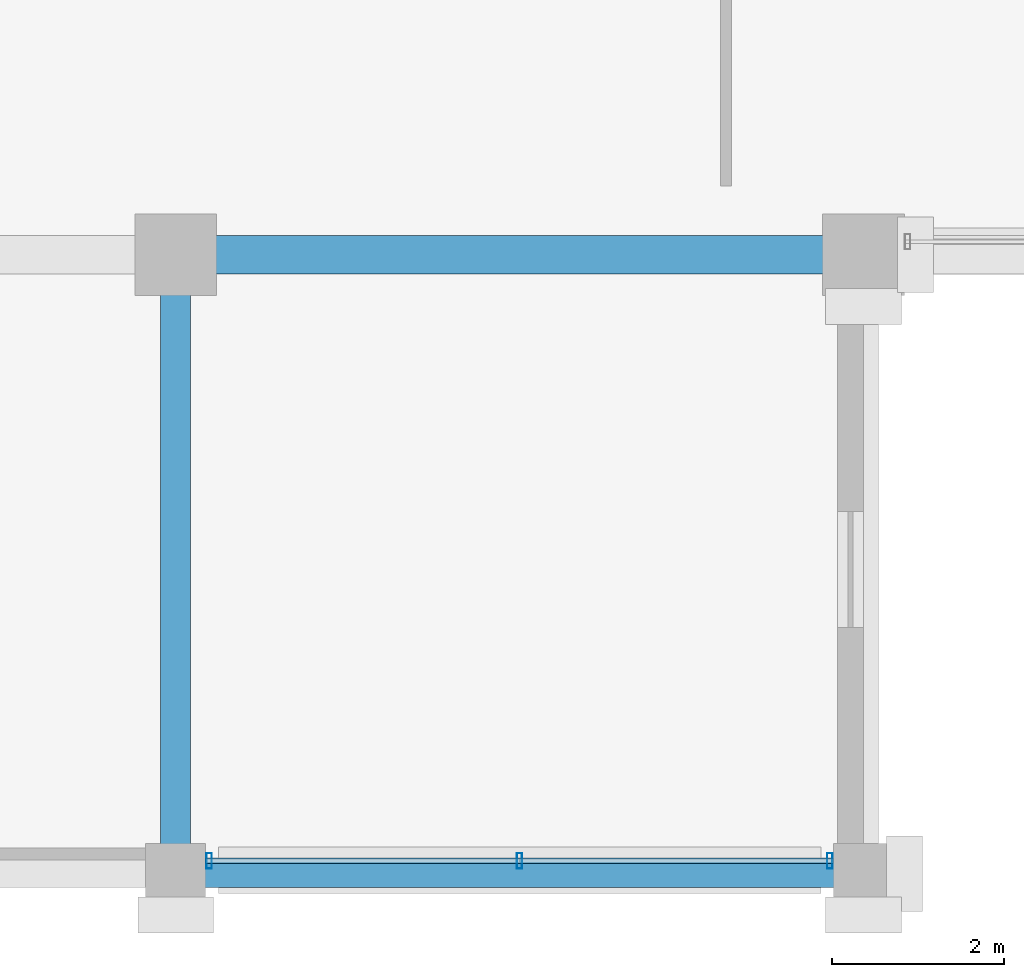
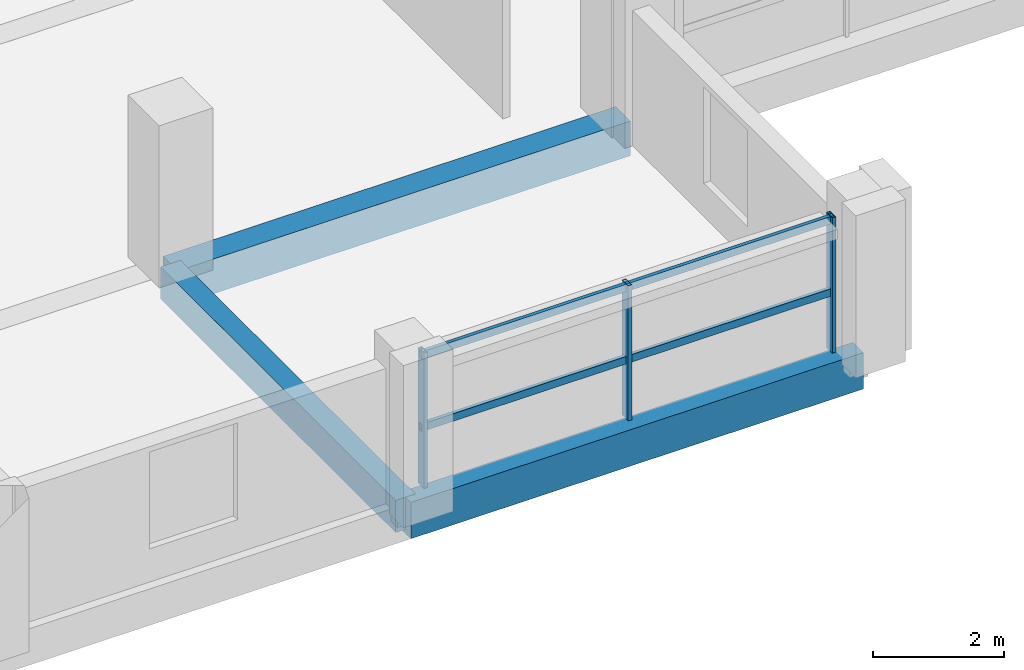
# One storey, part 2 of 25: 5 members, 3 beams, 1 element without a shape of its own.
"""IFC4 building model written with IfcOpenShell, lengths in metres."""

from ifc_helpers import new_model, si_unit, direction, frame, origin, origin_2d, place, context, subcontext, project, spatial, rectangle, hollow_rectangle, extrude, material, material_profile, profile_set, type_object, element, aggregate, save


model = new_model("IFC4")

# Units and contexts
model_context = context("Model", 3, precision=1e-05, world=origin(), true_north=direction((0.0, 1.0)))
body_context = subcontext(model_context, "Body", "Model", "MODEL_VIEW")
ifc_project = project(units=[si_unit("LENGTHUNIT", "METRE"), si_unit("AREAUNIT", "SQUARE_METRE"), si_unit("VOLUMEUNIT", "CUBIC_METRE"), si_unit("PLANEANGLEUNIT", "RADIAN"), si_unit("MASSUNIT", "GRAM", prefix="KILO")], contexts=[model_context])

# Site, building, storey
site_placement = place(None, origin())
site = spatial("IfcSite", under=ifc_project, at=site_placement, CompositionType="ELEMENT")
building_placement = place(site_placement, origin())
building = spatial("IfcBuilding", under=site, at=building_placement, Name="Akrevak Sports Hall", CompositionType="ELEMENT")
storey_placement = place(building_placement, frame((0.0, 0.0, 50.300048828125)))
storey = spatial("IfcBuildingStorey", under=building, at=storey_placement, Name="L12", CompositionType="ELEMENT", Elevation=50.300048828125)

# Curtain wall, members
ifc_material_1 = material(Name="Anodized Bronze Aluminium & Low-E Glass", Category="aluminium")
curtain_wall_type = type_object("IfcCurtainWallType", Name="ARC-CW-TWR-72x30", PredefinedType="NOTDEFINED", material=ifc_material_1)
curtain_wall_placement = place(storey_placement, origin())
curtain_wall = element("IfcCurtainWall", 1, at=curtain_wall_placement, inside=storey, type_object=curtain_wall_type, Name="Curtain Wall CW-L12-S02", PredefinedType="NOTDEFINED")
ifc_material_2 = material(Name="Anodized Bronze Aluminium", Category="aluminium")
ifc_material_profile_1 = material_profile(ifc_material_2, hollow_rectangle(XDim=0.06494140625, YDim=0.179931640625, WallThickness=0.00390625, at=origin_2d()), Name="CWM 65x180", Category="aluminium")
ifc_profile_set_1 = profile_set([ifc_material_profile_1], Name="Anodized Bronze Aluminium")
member_type_1 = type_object("IfcMemberType", Name="ARC-CWM-65x140", PredefinedType="MULLION", material=ifc_profile_set_1)
member_1_placement = place(storey_placement, frame((60.389892578125, 21.75, 0.0), z_axis=(0.0, 0.0, 1.0), x_axis=(1.0, 0.0, 0.0)))
member_1 = element("IfcMember", 2, at=member_1_placement, type_object=member_type_1, Name="Curtain Wall Mullion CW-L12-S02-M1", PredefinedType="MULLION", context=body_context, shape_type="SweptSolid", body=[
    extrude(hollow_rectangle(XDim=0.06494140625, YDim=0.179931640625, WallThickness=0.00390625, at=origin_2d()), origin(), (0.0, 0.0, 1.0), 2.530029296875),
])
member_2_placement = place(storey_placement, frame((64.0, 21.75, 0.0), z_axis=(0.0, 0.0, 1.0), x_axis=(1.0, 0.0, 0.0)))
member_2 = element("IfcMember", 3, at=member_2_placement, type_object=member_type_1, Name="Curtain Wall Mullion CW-L12-S02-M2", PredefinedType="MULLION", context=body_context, shape_type="SweptSolid", body=[
    extrude(hollow_rectangle(XDim=0.06494140625, YDim=0.179931640625, WallThickness=0.00390625, at=origin_2d()), origin(), (0.0, 0.0, 1.0), 2.530029296875),
])
member_3_placement = place(storey_placement, frame((67.610107421875, 21.75, 0.0), z_axis=(0.0, 0.0, 1.0), x_axis=(1.0, 0.0, 0.0)))
member_3 = element("IfcMember", 4, at=member_3_placement, type_object=member_type_1, Name="Curtain Wall Mullion CW-L12-S02-M3", PredefinedType="MULLION", context=body_context, shape_type="SweptSolid", body=[
    extrude(hollow_rectangle(XDim=0.06494140625, YDim=0.179931640625, WallThickness=0.00390625, at=origin_2d()), origin(), (0.0, 0.0, 1.0), 2.530029296875),
])
ifc_material_profile_2 = material_profile(ifc_material_2, hollow_rectangle(XDim=0.06494140625, YDim=0.139892578125, WallThickness=0.00390625, at=origin_2d()), Name="CWT 65x140", Category="aluminium")
ifc_profile_set_2 = profile_set([ifc_material_profile_2], Name="Anodized Bronze Aluminium")
member_type_2 = type_object("IfcMemberType", Name="ARC-CWT-65x110", PredefinedType="USERDEFINED", material=ifc_profile_set_2)
member_4_placement = place(storey_placement, frame((60.35009765625, 21.75, 1.099853515625), z_axis=(1.0, 0.0, 0.0), x_axis=(0.0, 1.0, 0.0)))
member_4 = element("IfcMember", 5, at=member_4_placement, type_object=member_type_2, Name="Curtain Wall Transom CW-L12-S02-T1", ObjectType="TRANSOM", PredefinedType="USERDEFINED", context=body_context, shape_type="SweptSolid", body=[
    extrude(hollow_rectangle(XDim=0.06494140625, YDim=0.139892578125, WallThickness=0.00390625, at=origin_2d()), origin(), (0.0, 0.0, 1.0), 7.2998046875),
])
member_5_placement = place(storey_placement, frame((60.35009765625, 21.75, 2.449951171875), z_axis=(1.0, 0.0, 0.0), x_axis=(0.0, 1.0, 0.0)))
member_5 = element("IfcMember", 6, at=member_5_placement, type_object=member_type_2, Name="Curtain Wall Transom CW-L12-S02-T2", ObjectType="TRANSOM", PredefinedType="USERDEFINED", context=body_context, shape_type="SweptSolid", body=[
    extrude(hollow_rectangle(XDim=0.06494140625, YDim=0.139892578125, WallThickness=0.00390625, at=origin_2d()), origin(), (0.0, 0.0, 1.0), 7.2998046875),
])
aggregate(curtain_wall, [member_1, member_2, member_3, member_4, member_5])

# Beams
ifc_material_3 = material(Name="Concrete C40/50", Category="concrete")
ifc_material_profile_3 = material_profile(ifc_material_3, rectangle(XDim=0.35009765625, YDim=0.60009765625, at=origin_2d()), Name="BM 350x600", Category="concrete")
ifc_profile_set_3 = profile_set([ifc_material_profile_3], Name="Concrete C40/50")
beam_type_1 = type_object("IfcBeamType", Name="STR-BM-RC350x600", PredefinedType="BEAM", material=ifc_profile_set_3)
beam_1_placement = place(storey_placement, frame((60.0, 21.60009765625, -0.300048828125), z_axis=(0.0, 1.0, 0.0), x_axis=(-1.0, 0.0, 0.0)))
element("IfcBeam", 7, at=beam_1_placement, inside=storey, type_object=beam_type_1, Name="Girder 9/D-E (L12)", PredefinedType="BEAM", context=body_context, shape_type="SweptSolid", body=[
    extrude(rectangle(XDim=0.35009765625, YDim=0.60009765625, at=origin_2d()), origin(), (0.0, 0.0, 1.0), 7.199951171875),
])
ifc_material_profile_4 = material_profile(ifc_material_3, rectangle(XDim=0.449951171875, YDim=0.64990234375, at=origin_2d()), Name="BM 450x650", Category="concrete")
ifc_profile_set_4 = profile_set([ifc_material_profile_4], Name="Concrete C40/50")
beam_type_2 = type_object("IfcBeamType", Name="STR-BM-RC450x650", PredefinedType="BEAM", material=ifc_profile_set_4)
beam_2_placement = place(storey_placement, frame((60.0, 28.800048828125, -0.324951171875), z_axis=(1.0, 0.0, 0.0), x_axis=(0.0, 1.0, 0.0)))
element("IfcBeam", 8, at=beam_2_placement, inside=storey, type_object=beam_type_2, Name="Girder E/9-10 (L12)", PredefinedType="BEAM", context=body_context, shape_type="SweptSolid", body=[
    extrude(rectangle(XDim=0.449951171875, YDim=0.64990234375, at=origin_2d()), origin(), (0.0, 0.0, 1.0), 8.0),
])
ifc_material_profile_5 = material_profile(ifc_material_3, rectangle(XDim=0.320068359375, YDim=0.679931640625, at=origin_2d()), Name="SPD 320x680", Category="concrete")
ifc_profile_set_5 = profile_set([ifc_material_profile_5], Name="Concrete C40/50")
beam_type_3 = type_object("IfcBeamType", Name="STR-SPD-RC320x680", PredefinedType="SPANDREL", material=ifc_profile_set_5)
beam_3_placement = place(storey_placement, frame((60.0, 21.60009765625, -0.340087890625), z_axis=(1.0, 0.0, 0.0), x_axis=(0.0, 1.0, 0.0)))
element("IfcBeam", 9, at=beam_3_placement, inside=storey, type_object=beam_type_3, Name="Girder D/9-10 (L12)", PredefinedType="SPANDREL", context=body_context, shape_type="SweptSolid", body=[
    extrude(rectangle(XDim=0.320068359375, YDim=0.679931640625, at=origin_2d()), origin(), (0.0, 0.0, 1.0), 8.0),
])

save(model, "model.ifc")
